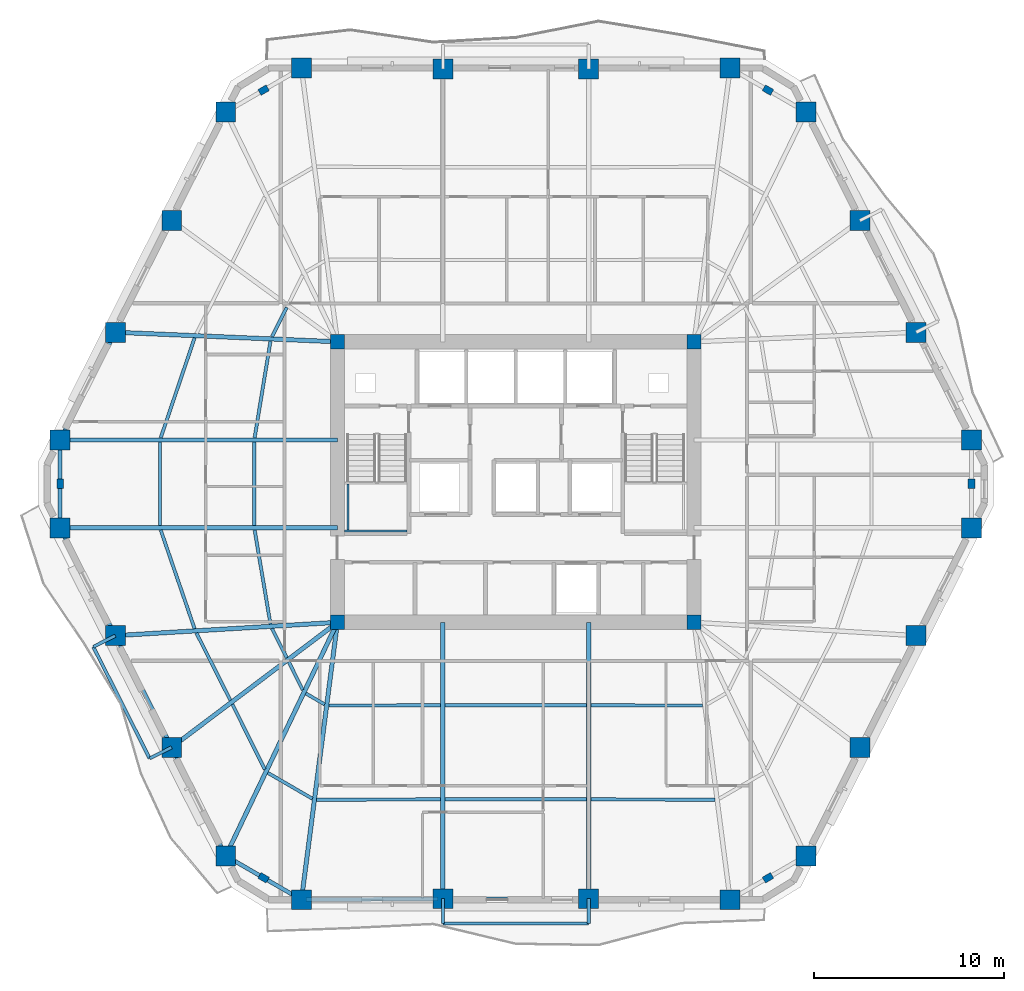
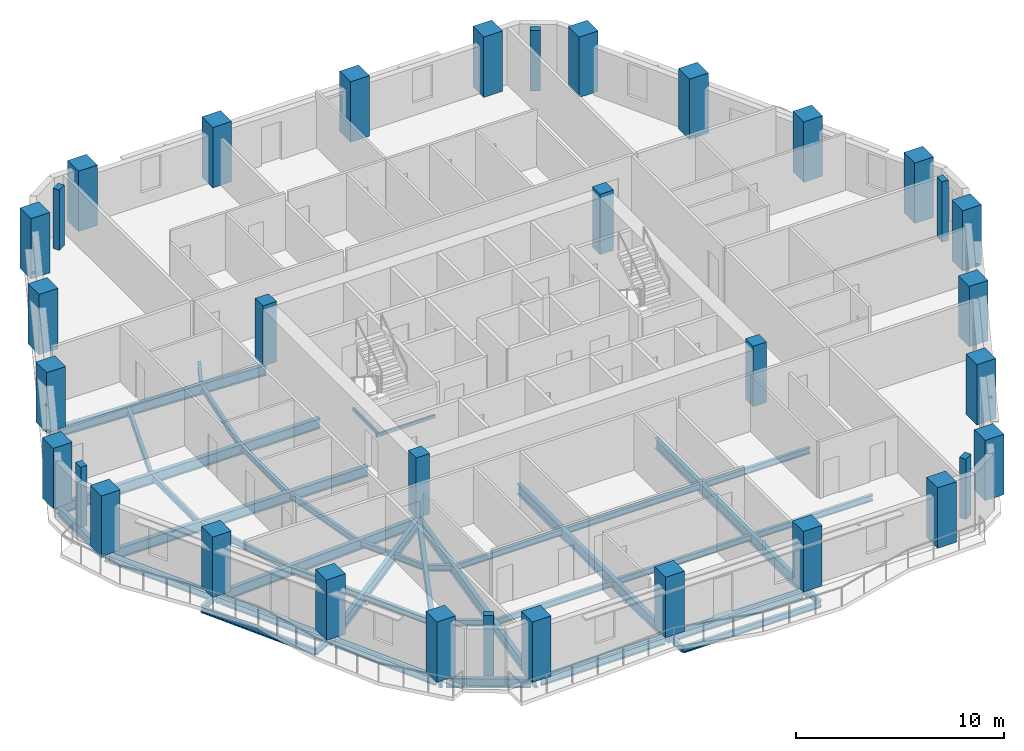
# One storey, part 1 of 12: 44 beams, 34 columns.
"""IFC4 building model written with IfcOpenShell, lengths in metres."""

from ifc_helpers import new_model, si_unit, direction, frame, origin, origin_2d, place, context, subcontext, project, spatial, rectangle, hollow_rectangle, i_section, extrude, material, material_profile, profile_set, type_object, element, save


model = new_model("IFC4")

# Units and contexts
model_context = context("Model", 3, precision=1e-05, world=origin(), true_north=direction((0.0, 1.0)))
body_context = subcontext(model_context, "Body", "Model", "MODEL_VIEW")
ifc_project = project(units=[si_unit("LENGTHUNIT", "METRE"), si_unit("AREAUNIT", "SQUARE_METRE"), si_unit("VOLUMEUNIT", "CUBIC_METRE"), si_unit("PLANEANGLEUNIT", "RADIAN"), si_unit("MASSUNIT", "GRAM", prefix="KILO")], contexts=[model_context])

# Site, building, storey
site_placement = place(None, origin())
site = spatial("IfcSite", under=ifc_project, at=site_placement, CompositionType="ELEMENT")
building_placement = place(site_placement, origin())
building = spatial("IfcBuilding", under=site, at=building_placement, Name="Cinnabar Lancet Tower", CompositionType="ELEMENT")
storey_placement = place(building_placement, frame((0.0, 0.0, 109.050048828125)))
storey = spatial("IfcBuildingStorey", under=building, at=storey_placement, Name="L28", CompositionType="ELEMENT", Elevation=109.050048828125)

# Columns
ifc_material_1 = material(Name="Concrete C70/85", Category="concrete")
ifc_material_profile_1 = material_profile(ifc_material_1, rectangle(XDim=0.75, YDim=0.75, at=origin_2d()), Name="RC-COL 750x750")
ifc_profile_set_1 = profile_set([ifc_material_profile_1], Name="Concrete C70/85")
column_type_1 = type_object("IfcColumnType", Name="STR-COL-CORE-750", PredefinedType="COLUMN", material=ifc_profile_set_1)
for number, where, z_axis, x_axis, name in (
    (1, (23.02490234375, 18.52490234375, 0.0), (0.0, 0.0, 1.0), (1.0, 0.0, 0.0), "L28 Core Corner Column SW"),
    (2, (41.77490234375, 18.52490234375, 0.0), (0.0, 0.0, 1.0), (1.0, 0.0, 0.0), "L28 Core Corner Column SE"),
    (3, (41.77490234375, 33.27490234375, 0.0), (0.0, 0.0, 1.0), (1.0, 0.0, 0.0), "L28 Core Corner Column NE"),
    (4, (23.02490234375, 33.27490234375, 0.0), (0.0, 0.0, 1.0), (1.0, 0.0, 0.0), "L28 Core Corner Column NW"),
):
    element("IfcColumn", number, at=place(storey_placement, frame(where, z_axis=z_axis, x_axis=x_axis)), inside=storey, type_object=column_type_1, Name=name, PredefinedType="COLUMN", context=body_context, shape_type="SweptSolid", body=[
        extrude(rectangle(XDim=0.75, YDim=0.75, at=origin_2d()), origin(), (0.0, 0.0, 1.0), 3.550048828125),
    ])
ifc_material_2 = material(Name="Concrete C60/75", Category="concrete")
ifc_material_profile_2 = material_profile(ifc_material_2, rectangle(XDim=0.5, YDim=0.35009765625, at=origin_2d()), Name="RC-PIL 500x350")
ifc_profile_set_2 = profile_set([ifc_material_profile_2], Name="Concrete C60/75")
column_type_2 = type_object("IfcColumnType", Name="STR-COL-PIL-500", PredefinedType="PILASTER", material=ifc_profile_set_2)
for number, where, z_axis, x_axis, name in (
    (5, (19.14111328125, 5.093017578125, 0.0), (0.0, 0.0, 1.0), (0.865160173452, -0.501495637342, 0.0), "L28 Chamfered Corner Pilaster 1"),
    (6, (45.658935546875, 5.093017578125, 0.0), (0.0, 0.0, 1.0), (0.865160173452, 0.501495637342, 0.0), "L28 Chamfered Corner Pilaster 2"),
    (7, (56.35693359375, 25.800048828125, 0.0), (0.0, 0.0, 1.0), (0.0, 1.0, 0.0), "L28 Chamfered Corner Pilaster 3"),
    (8, (45.658935546875, 46.508056640625, 0.0), (0.0, 0.0, 1.0), (-0.865160173452, 0.501495637342, 0.0), "L28 Chamfered Corner Pilaster 4"),
    (9, (19.14111328125, 46.508056640625, 0.0), (0.0, 0.0, 1.0), (-0.865160173452, -0.501495637342, 0.0), "L28 Chamfered Corner Pilaster 5"),
    (10, (8.443115234375, 25.800048828125, 0.0), (0.0, 0.0, 1.0), (0.0, -1.0, 0.0), "L28 Chamfered Corner Pilaster 6"),
):
    element("IfcColumn", number, at=place(storey_placement, frame(where, z_axis=z_axis, x_axis=x_axis)), inside=storey, type_object=column_type_2, Name=name, PredefinedType="PILASTER", context=body_context, shape_type="SweptSolid", body=[
        extrude(rectangle(XDim=0.5, YDim=0.35009765625, at=origin_2d()), origin(), (0.0, 0.0, 1.0), 3.550048828125),
    ])
ifc_material_3 = material(Name="Concrete C70/85", Category="concrete")
ifc_material_profile_3 = material_profile(ifc_material_3, rectangle(XDim=1.050048828125, YDim=1.050048828125, at=origin_2d()), Name="RC-COL 1050x1050")
ifc_profile_set_3 = profile_set([ifc_material_profile_3], Name="Concrete C70/85")
column_type_3 = type_object("IfcColumnType", Name="STR-COL-TUBE-1050", PredefinedType="COLUMN", material=ifc_profile_set_3)
for number, where, z_axis, x_axis, name in (
    (11, (21.131103515625, 3.93896484375, 0.0), (0.0, 0.0, 1.0), (1.0, 0.0, 0.0), "L28 Perimeter Tube Column 1"),
    (12, (28.568115234375, 3.991943359375, 0.0), (0.0, 0.0, 1.0), (1.0, 0.0, 0.0), "L28 Perimeter Tube Column 2"),
    (13, (36.23193359375, 3.991943359375, 0.0), (0.0, 0.0, 1.0), (1.0, 0.0, 0.0), "L28 Perimeter Tube Column 3"),
    (14, (43.6689453125, 3.93896484375, 0.0), (0.0, 0.0, 1.0), (1.0, 0.0, 0.0), "L28 Perimeter Tube Column 4"),
    (15, (47.64892578125, 6.24609375, 0.0), (0.0, 0.0, 1.0), (1.0, 0.0, 0.0), "L28 Perimeter Tube Column 5"),
    (16, (50.489013671875, 11.955078125, 0.0), (0.0, 0.0, 1.0), (1.0, 0.0, 0.0), "L28 Perimeter Tube Column 6"),
    (17, (53.451904296875, 17.823974609375, 0.0), (0.0, 0.0, 1.0), (1.0, 0.0, 0.0), "L28 Perimeter Tube Column 7"),
    (18, (56.35693359375, 23.490966796875, 0.0), (0.0, 0.0, 1.0), (1.0, 0.0, 0.0), "L28 Perimeter Tube Column 8"),
    (19, (56.35693359375, 28.10888671875, 0.0), (0.0, 0.0, 1.0), (1.0, 0.0, 0.0), "L28 Perimeter Tube Column 9"),
    (20, (53.451904296875, 33.77587890625, 0.0), (0.0, 0.0, 1.0), (1.0, 0.0, 0.0), "L28 Perimeter Tube Column 10"),
    (21, (50.489013671875, 39.64501953125, 0.0), (0.0, 0.0, 1.0), (1.0, 0.0, 0.0), "L28 Perimeter Tube Column 11"),
    (22, (47.64892578125, 45.35400390625, 0.0), (0.0, 0.0, 1.0), (1.0, 0.0, 0.0), "L28 Perimeter Tube Column 12"),
    (23, (43.6689453125, 47.660888671875, 0.0), (0.0, 0.0, 1.0), (1.0, 0.0, 0.0), "L28 Perimeter Tube Column 13"),
    (24, (36.23193359375, 47.60791015625, 0.0), (0.0, 0.0, 1.0), (1.0, 0.0, 0.0), "L28 Perimeter Tube Column 14"),
    (25, (28.568115234375, 47.60791015625, 0.0), (0.0, 0.0, 1.0), (1.0, 0.0, 0.0), "L28 Perimeter Tube Column 15"),
    (26, (21.131103515625, 47.660888671875, 0.0), (0.0, 0.0, 1.0), (1.0, 0.0, 0.0), "L28 Perimeter Tube Column 16"),
    (27, (17.15087890625, 45.35400390625, 0.0), (0.0, 0.0, 1.0), (1.0, 0.0, 0.0), "L28 Perimeter Tube Column 17"),
    (28, (14.31103515625, 39.64501953125, 0.0), (0.0, 0.0, 1.0), (1.0, 0.0, 0.0), "L28 Perimeter Tube Column 18"),
    (29, (11.347900390625, 33.77587890625, 0.0), (0.0, 0.0, 1.0), (1.0, 0.0, 0.0), "L28 Perimeter Tube Column 19"),
    (30, (8.443115234375, 28.10888671875, 0.0), (0.0, 0.0, 1.0), (1.0, 0.0, 0.0), "L28 Perimeter Tube Column 20"),
    (31, (8.443115234375, 23.490966796875, 0.0), (0.0, 0.0, 1.0), (1.0, 0.0, 0.0), "L28 Perimeter Tube Column 21"),
    (32, (11.347900390625, 17.823974609375, 0.0), (0.0, 0.0, 1.0), (1.0, 0.0, 0.0), "L28 Perimeter Tube Column 22"),
    (33, (14.31103515625, 11.955078125, 0.0), (0.0, 0.0, 1.0), (1.0, 0.0, 0.0), "L28 Perimeter Tube Column 23"),
    (34, (17.15087890625, 6.24609375, 0.0), (0.0, 0.0, 1.0), (1.0, 0.0, 0.0), "L28 Perimeter Tube Column 24"),
):
    element("IfcColumn", number, at=place(storey_placement, frame(where, z_axis=z_axis, x_axis=x_axis)), inside=storey, type_object=column_type_3, Name=name, PredefinedType="COLUMN", context=body_context, shape_type="SweptSolid", body=[
        extrude(rectangle(XDim=1.050048828125, YDim=1.050048828125, at=origin_2d()), origin(), (0.0, 0.0, 1.0), 3.550048828125),
    ])

# Beams
ifc_material_4 = material(Name="Structural steel S355", Category="steel")
ifc_material_profile_4 = material_profile(ifc_material_4, i_section(OverallWidth=0.17138671875, OverallDepth=0.35498046875, WebThickness=0.00732421875, FlangeThickness=0.011474609375, FilletRadius=0.01025390625, at=origin_2d()), Name="UKB 356x171x51")
ifc_profile_set_4 = profile_set([ifc_material_profile_4], Name="Structural steel S355")
beam_type_1 = type_object("IfcBeamType", Name="STR-BM-JST-356", PredefinedType="JOIST", material=ifc_profile_set_4)
beam_1_placement = place(storey_placement, frame((13.73193359375, 23.376953125, -0.386962890625), z_axis=(0.324639458548, -0.945837841257, 0.0), x_axis=(0.945837841257, 0.324639458548, 0.0)))
element("IfcBeam", 35, at=beam_1_placement, inside=storey, type_object=beam_type_1, Name="L28 Secondary Floor Joist 1", PredefinedType="JOIST", context=body_context, shape_type="SweptSolid", body=[
    extrude(i_section(OverallWidth=0.17138671875, OverallDepth=0.35498046875, WebThickness=0.00732421875, FlangeThickness=0.011474609375, FilletRadius=0.01025390625, at=origin_2d()), origin(), (0.0, 0.0, 1.0), 5.486083984375),
])
beam_2_placement = place(storey_placement, frame((18.669921875, 23.376953125, -0.386962890625), z_axis=(0.165984412241, -0.986128376477, 0.0), x_axis=(0.986128376477, 0.165984412241, 0.0)))
element("IfcBeam", 36, at=beam_2_placement, inside=storey, type_object=beam_type_1, Name="L28 Secondary Floor Joist 2", PredefinedType="JOIST", context=body_context, shape_type="SweptSolid", body=[
    extrude(i_section(OverallWidth=0.17138671875, OverallDepth=0.35498046875, WebThickness=0.00732421875, FlangeThickness=0.011474609375, FilletRadius=0.01025390625, at=origin_2d()), origin(), (0.0, 0.0, 1.0), 5.0185546875),
])
beam_3_placement = place(storey_placement, frame((15.60791015625, 17.965087890625, -0.386962890625), z_axis=(0.450755070916, -0.892647671841, 0.0), x_axis=(0.892647671841, 0.450755070916, 0.0)))
element("IfcBeam", 37, at=beam_3_placement, inside=storey, type_object=beam_type_1, Name="L28 Secondary Floor Joist 3", PredefinedType="JOIST", context=body_context, shape_type="SweptSolid", body=[
    extrude(i_section(OverallWidth=0.17138671875, OverallDepth=0.35498046875, WebThickness=0.00732421875, FlangeThickness=0.011474609375, FilletRadius=0.01025390625, at=origin_2d()), origin(), (0.0, 0.0, 1.0), 3.966796875),
])
beam_4_placement = place(storey_placement, frame((19.577880859375, 18.2041015625, -0.386962890625), z_axis=(0.450874341268, -0.892587434589, 0.0), x_axis=(0.892587434589, 0.450874341268, 0.0)))
element("IfcBeam", 38, at=beam_4_placement, inside=storey, type_object=beam_type_1, Name="L28 Secondary Floor Joist 4", PredefinedType="JOIST", context=body_context, shape_type="SweptSolid", body=[
    extrude(i_section(OverallWidth=0.17138671875, OverallDepth=0.35498046875, WebThickness=0.00732421875, FlangeThickness=0.011474609375, FilletRadius=0.01025390625, at=origin_2d()), origin(), (0.0, 0.0, 1.0), 1.732177734375),
])
beam_5_placement = place(storey_placement, frame((17.5, 14.216064453125, -0.386962890625), z_axis=(0.445295120803, -0.895383859241, 0.0), x_axis=(0.895383859241, 0.445295120803, 0.0)))
element("IfcBeam", 39, at=beam_5_placement, inside=storey, type_object=beam_type_1, Name="L28 Secondary Floor Joist 5", PredefinedType="JOIST", context=body_context, shape_type="SweptSolid", body=[
    extrude(i_section(OverallWidth=0.17138671875, OverallDepth=0.35498046875, WebThickness=0.00732421875, FlangeThickness=0.011474609375, FilletRadius=0.01025390625, at=origin_2d()), origin(), (0.0, 0.0, 1.0), 3.81982421875),
])
beam_6_placement = place(storey_placement, frame((20.4619140625, 16.449951171875, -0.386962890625), z_axis=(0.445557690111, -0.895253229418, 0.0), x_axis=(0.895253229418, 0.445557690111, 0.0)))
element("IfcBeam", 40, at=beam_6_placement, inside=storey, type_object=beam_type_1, Name="L28 Secondary Floor Joist 6", PredefinedType="JOIST", context=body_context, shape_type="SweptSolid", body=[
    extrude(i_section(OverallWidth=0.17138671875, OverallDepth=0.35498046875, WebThickness=0.00732421875, FlangeThickness=0.011474609375, FilletRadius=0.01025390625, at=origin_2d()), origin(), (0.0, 0.0, 1.0), 1.652099609375),
])
beam_7_placement = place(storey_placement, frame((19.364990234375, 10.60888671875, -0.386962890625), z_axis=(0.865172906898, -0.501473669469, 0.0), x_axis=(0.501473669469, 0.865172906898, 0.0)))
element("IfcBeam", 41, at=beam_7_placement, inside=storey, type_object=beam_type_1, Name="L28 Secondary Floor Joist 7", PredefinedType="JOIST", context=body_context, shape_type="SweptSolid", body=[
    extrude(i_section(OverallWidth=0.17138671875, OverallDepth=0.35498046875, WebThickness=0.00732421875, FlangeThickness=0.011474609375, FilletRadius=0.01025390625, at=origin_2d()), origin(), (0.0, 0.0, 1.0), 2.705810546875),
])
beam_8_placement = place(storey_placement, frame((21.362060546875, 14.783935546875, -0.386962890625), z_axis=(0.865055308165, -0.501676503154, 0.0), x_axis=(0.501676503154, 0.865055308165, 0.0)))
element("IfcBeam", 42, at=beam_8_placement, inside=storey, type_object=beam_type_1, Name="L28 Secondary Floor Joist 8", PredefinedType="JOIST", context=body_context, shape_type="SweptSolid", body=[
    extrude(i_section(OverallWidth=0.17138671875, OverallDepth=0.35498046875, WebThickness=0.00732421875, FlangeThickness=0.011474609375, FilletRadius=0.01025390625, at=origin_2d()), origin(), (0.0, 0.0, 1.0), 1.14208984375),
])
beam_9_placement = place(storey_placement, frame((21.927978515625, 9.19091796875, -0.386962890625), z_axis=(0.999987991898, 0.004900618269, 0.0), x_axis=(-0.004900618269, 0.999987991898, 0.0)))
element("IfcBeam", 43, at=beam_9_placement, inside=storey, type_object=beam_type_1, Name="L28 Secondary Floor Joist 9", PredefinedType="JOIST", context=body_context, shape_type="SweptSolid", body=[
    extrude(i_section(OverallWidth=0.17138671875, OverallDepth=0.35498046875, WebThickness=0.00732421875, FlangeThickness=0.011474609375, FilletRadius=0.01025390625, at=origin_2d()), origin(), (0.0, 0.0, 1.0), 6.526123046875),
])
beam_10_placement = place(storey_placement, frame((22.572021484375, 14.14892578125, -0.386962890625), z_axis=(0.999996247906, 0.002739374605, 0.0), x_axis=(-0.002739374605, 0.999996247906, 0.0)))
element("IfcBeam", 44, at=beam_10_placement, inside=storey, type_object=beam_type_1, Name="L28 Secondary Floor Joist 10", PredefinedType="JOIST", context=body_context, shape_type="SweptSolid", body=[
    extrude(i_section(OverallWidth=0.17138671875, OverallDepth=0.35498046875, WebThickness=0.00732421875, FlangeThickness=0.011474609375, FilletRadius=0.01025390625, at=origin_2d()), origin(), (0.0, 0.0, 1.0), 5.882080078125),
])
for number, where, z_axis, x_axis, name in (
    (45, (28.681884765625, 9.22412109375, -0.386962890625), (1.0, 0.0, 0.0), (0.0, 1.0, 0.0), "L28 Secondary Floor Joist 11"),
    (46, (28.681884765625, 14.1650390625, -0.386962890625), (1.0, 0.0, 0.0), (0.0, 1.0, 0.0), "L28 Secondary Floor Joist 12"),
):
    element("IfcBeam", number, at=place(storey_placement, frame(where, z_axis=z_axis, x_axis=x_axis)), inside=storey, type_object=beam_type_1, Name=name, PredefinedType="JOIST", context=body_context, shape_type="SweptSolid", body=[
        extrude(i_section(OverallWidth=0.17138671875, OverallDepth=0.35498046875, WebThickness=0.00732421875, FlangeThickness=0.011474609375, FilletRadius=0.01025390625, at=origin_2d()), origin(), (0.0, 0.0, 1.0), 7.43603515625),
    ])
beam_11_placement = place(storey_placement, frame((36.345947265625, 9.222900390625, -0.386962890625), z_axis=(0.999987991898, -0.004900618269, 0.0), x_axis=(0.004900618269, 0.999987991898, 0.0)))
element("IfcBeam", 47, at=beam_11_placement, inside=storey, type_object=beam_type_1, Name="L28 Secondary Floor Joist 13", PredefinedType="JOIST", context=body_context, shape_type="SweptSolid", body=[
    extrude(i_section(OverallWidth=0.17138671875, OverallDepth=0.35498046875, WebThickness=0.00732421875, FlangeThickness=0.011474609375, FilletRadius=0.01025390625, at=origin_2d()), origin(), (0.0, 0.0, 1.0), 6.526123046875),
])
beam_12_placement = place(storey_placement, frame((36.345947265625, 14.1650390625, -0.386962890625), z_axis=(0.999996247906, -0.002739374605, 0.0), x_axis=(0.002739374605, 0.999996247906, 0.0)))
element("IfcBeam", 48, at=beam_12_placement, inside=storey, type_object=beam_type_1, Name="L28 Secondary Floor Joist 14", PredefinedType="JOIST", context=body_context, shape_type="SweptSolid", body=[
    extrude(i_section(OverallWidth=0.17138671875, OverallDepth=0.35498046875, WebThickness=0.00732421875, FlangeThickness=0.011474609375, FilletRadius=0.01025390625, at=origin_2d()), origin(), (0.0, 0.0, 1.0), 5.882080078125),
])
beam_13_placement = place(storey_placement, frame((20.35888671875, 35.0830078125, -0.386962890625), z_axis=(-0.450931068976, -0.892558777354, 0.0), x_axis=(0.892558777354, -0.450931068976, 0.0)))
element("IfcBeam", 49, at=beam_13_placement, inside=storey, type_object=beam_type_1, Name="L28 Secondary Floor Joist 44", PredefinedType="JOIST", context=body_context, shape_type="SweptSolid", body=[
    extrude(i_section(OverallWidth=0.17138671875, OverallDepth=0.35498046875, WebThickness=0.00732421875, FlangeThickness=0.011474609375, FilletRadius=0.01025390625, at=origin_2d()), origin(), (0.0, 0.0, 1.0), 1.73193359375),
])
beam_14_placement = place(storey_placement, frame((15.513916015625, 33.48291015625, -0.386962890625), z_axis=(-0.321023911172, -0.947071089442, 0.0), x_axis=(0.947071089442, -0.321023911172, 0.0)))
element("IfcBeam", 50, at=beam_14_placement, inside=storey, type_object=beam_type_1, Name="L28 Secondary Floor Joist 45", PredefinedType="JOIST", context=body_context, shape_type="SweptSolid", body=[
    extrude(i_section(OverallWidth=0.17138671875, OverallDepth=0.35498046875, WebThickness=0.00732421875, FlangeThickness=0.011474609375, FilletRadius=0.01025390625, at=origin_2d()), origin(), (0.0, 0.0, 1.0), 5.553955078125),
])
beam_15_placement = place(storey_placement, frame((19.5029296875, 33.31201171875, -0.386962890625), z_axis=(-0.161719098977, -0.986836832017, 0.0), x_axis=(0.986836832017, -0.161719098977, 0.0)))
element("IfcBeam", 51, at=beam_15_placement, inside=storey, type_object=beam_type_1, Name="L28 Secondary Floor Joist 46", PredefinedType="JOIST", context=body_context, shape_type="SweptSolid", body=[
    extrude(i_section(OverallWidth=0.17138671875, OverallDepth=0.35498046875, WebThickness=0.00732421875, FlangeThickness=0.011474609375, FilletRadius=0.01025390625, at=origin_2d()), origin(), (0.0, 0.0, 1.0), 5.156982421875),
])
for number, where, z_axis, x_axis, name in (
    (52, (13.693115234375, 27.9951171875, -0.386962890625), (0.0, -1.0, 0.0), (1.0, 0.0, 0.0), "L28 Secondary Floor Joist 47"),
    (53, (18.64990234375, 27.9951171875, -0.386962890625), (0.0, -1.0, 0.0), (1.0, 0.0, 0.0), "L28 Secondary Floor Joist 48"),
):
    element("IfcBeam", number, at=place(storey_placement, frame(where, z_axis=z_axis, x_axis=x_axis)), inside=storey, type_object=beam_type_1, Name=name, PredefinedType="JOIST", context=body_context, shape_type="SweptSolid", body=[
        extrude(i_section(OverallWidth=0.17138671875, OverallDepth=0.35498046875, WebThickness=0.00732421875, FlangeThickness=0.011474609375, FilletRadius=0.01025390625, at=origin_2d()), origin(), (0.0, 0.0, 1.0), 4.39013671875),
    ])
ifc_material_5 = material(Name="Structural steel S355", Category="steel")
ifc_material_profile_5 = material_profile(ifc_material_5, hollow_rectangle(XDim=0.10009765625, YDim=0.199951171875, WallThickness=0.008056640625, InnerFilletRadius=0.00390625, OuterFilletRadius=0.011962890625, at=origin_2d()), Name="RHS 200x100x8")
ifc_profile_set_5 = profile_set([ifc_material_profile_5], Name="Structural steel S355")
beam_type_2 = type_object("IfcBeamType", Name="STR-BM-LND-203", PredefinedType="BEAM", material=ifc_profile_set_5)
beam_16_placement = place(storey_placement, frame((23.39990234375, 23.330078125, 1.474853515625), z_axis=(1.0, 0.0, 0.0), x_axis=(0.0, 1.0, 0.0)))
element("IfcBeam", 54, at=beam_16_placement, inside=storey, type_object=beam_type_2, Name="L28 ST-1-L28 Landing Support Beam S", PredefinedType="BEAM", context=body_context, shape_type="SweptSolid", body=[
    extrude(hollow_rectangle(XDim=0.10009765625, YDim=0.199951171875, WallThickness=0.008056640625, InnerFilletRadius=0.00390625, OuterFilletRadius=0.011962890625, at=origin_2d()), origin(), (0.0, 0.0, 1.0), 3.280029296875),
])
beam_17_placement = place(storey_placement, frame((23.580078125, 23.3798828125, 1.474853515625), z_axis=(0.0, 1.0, 0.0), x_axis=(-1.0, 0.0, 0.0)))
element("IfcBeam", 55, at=beam_17_placement, inside=storey, type_object=beam_type_2, Name="L28 ST-1-L28 Landing Side Trimmer Beam", PredefinedType="BEAM", context=body_context, shape_type="SweptSolid", body=[
    extrude(hollow_rectangle(XDim=0.10009765625, YDim=0.199951171875, WallThickness=0.008056640625, InnerFilletRadius=0.00390625, OuterFilletRadius=0.011962890625, at=origin_2d()), origin(), (0.0, 0.0, 1.0), 2.4150390625),
])
ifc_material_6 = material(Name="Structural steel S355", Category="steel")
ifc_material_profile_6 = material_profile(ifc_material_6, i_section(OverallWidth=0.209228515625, OverallDepth=0.533203125, WebThickness=0.010009765625, FlangeThickness=0.015625, FilletRadius=0.0126953125, at=origin_2d()), Name="UKB 533x210x92")
ifc_profile_set_6 = profile_set([ifc_material_profile_6], Name="Structural steel S355")
beam_type_3 = type_object("IfcBeamType", Name="STR-BM-SPN-533", PredefinedType="SPANDREL", material=ifc_profile_set_6)
beam_18_placement = place(storey_placement, frame((21.381103515625, 3.94091796875, -0.47705078125), z_axis=(0.999974980359, 0.007073800628, 0.0), x_axis=(-0.007073800628, 0.999974980359, 0.0)))
element("IfcBeam", 56, at=beam_18_placement, inside=storey, type_object=beam_type_3, Name="L28 Perimeter Spandrel 1", PredefinedType="SPANDREL", context=body_context, shape_type="SweptSolid", body=[
    extrude(i_section(OverallWidth=0.209228515625, OverallDepth=0.533203125, WebThickness=0.010009765625, FlangeThickness=0.015625, FilletRadius=0.0126953125, at=origin_2d()), origin(), (0.0, 0.0, 1.0), 6.937255859375),
])
beam_19_placement = place(storey_placement, frame((28.818115234375, 3.991943359375, -0.47705078125), z_axis=(1.0, 0.0, 0.0), x_axis=(0.0, 1.0, 0.0)))
element("IfcBeam", 57, at=beam_19_placement, inside=storey, type_object=beam_type_3, Name="L28 Perimeter Spandrel 2", PredefinedType="SPANDREL", context=body_context, shape_type="SweptSolid", body=[
    extrude(i_section(OverallWidth=0.209228515625, OverallDepth=0.533203125, WebThickness=0.010009765625, FlangeThickness=0.015625, FilletRadius=0.0126953125, at=origin_2d()), origin(), (0.0, 0.0, 1.0), 7.163818359375),
])
beam_20_placement = place(storey_placement, frame((11.23388671875, 33.553955078125, -0.47705078125), z_axis=(-0.456126618405, -0.889914888055, 0.0), x_axis=(0.889914888055, -0.456126618405, 0.0)))
element("IfcBeam", 58, at=beam_20_placement, inside=storey, type_object=beam_type_3, Name="L28 Perimeter Spandrel 19", PredefinedType="SPANDREL", context=body_context, shape_type="SweptSolid", body=[
    extrude(i_section(OverallWidth=0.209228515625, OverallDepth=0.533203125, WebThickness=0.010009765625, FlangeThickness=0.015625, FilletRadius=0.0126953125, at=origin_2d()), origin(), (0.0, 0.0, 1.0), 5.868896484375),
])
beam_21_placement = place(storey_placement, frame((8.443115234375, 27.85888671875, -0.47705078125), z_axis=(0.0, -1.0, 0.0), x_axis=(1.0, 0.0, 0.0)))
element("IfcBeam", 59, at=beam_21_placement, inside=storey, type_object=beam_type_3, Name="L28 Perimeter Spandrel 20", PredefinedType="SPANDREL", context=body_context, shape_type="SweptSolid", body=[
    extrude(i_section(OverallWidth=0.209228515625, OverallDepth=0.533203125, WebThickness=0.010009765625, FlangeThickness=0.015625, FilletRadius=0.0126953125, at=origin_2d()), origin(), (0.0, 0.0, 1.0), 4.117919921875),
])
beam_22_placement = place(storey_placement, frame((8.556884765625, 23.26904296875, -0.47705078125), z_axis=(0.456109733574, -0.889923542187, 0.0), x_axis=(0.889923542187, 0.456109733574, 0.0)))
element("IfcBeam", 60, at=beam_22_placement, inside=storey, type_object=beam_type_3, Name="L28 Perimeter Spandrel 21", PredefinedType="SPANDREL", context=body_context, shape_type="SweptSolid", body=[
    extrude(i_section(OverallWidth=0.209228515625, OverallDepth=0.533203125, WebThickness=0.010009765625, FlangeThickness=0.015625, FilletRadius=0.0126953125, at=origin_2d()), origin(), (0.0, 0.0, 1.0), 5.869140625),
])
beam_23_placement = place(storey_placement, frame((11.4609375, 17.60107421875, -0.47705078125), z_axis=(0.450570325924, -0.892740937449, 0.0), x_axis=(0.892740937449, 0.450570325924, 0.0)))
element("IfcBeam", 61, at=beam_23_placement, inside=storey, type_object=beam_type_3, Name="L28 Perimeter Spandrel 22", PredefinedType="SPANDREL", context=body_context, shape_type="SweptSolid", body=[
    extrude(i_section(OverallWidth=0.209228515625, OverallDepth=0.533203125, WebThickness=0.010009765625, FlangeThickness=0.015625, FilletRadius=0.0126953125, at=origin_2d()), origin(), (0.0, 0.0, 1.0), 6.07470703125),
])
beam_24_placement = place(storey_placement, frame((14.422119140625, 11.73095703125, -0.47705078125), z_axis=(0.445501068635, -0.89528140707, 0.0), x_axis=(0.89528140707, 0.445501068635, 0.0)))
element("IfcBeam", 62, at=beam_24_placement, inside=storey, type_object=beam_type_3, Name="L28 Perimeter Spandrel 23", PredefinedType="SPANDREL", context=body_context, shape_type="SweptSolid", body=[
    extrude(i_section(OverallWidth=0.209228515625, OverallDepth=0.533203125, WebThickness=0.010009765625, FlangeThickness=0.015625, FilletRadius=0.0126953125, at=origin_2d()), origin(), (0.0, 0.0, 1.0), 5.87646484375),
])
beam_25_placement = place(storey_placement, frame((17.366943359375, 6.12109375, -0.47705078125), z_axis=(0.865112299906, -0.501578217781, 0.0), x_axis=(0.501578217781, 0.865112299906, 0.0)))
element("IfcBeam", 63, at=beam_25_placement, inside=storey, type_object=beam_type_3, Name="L28 Perimeter Spandrel 24", PredefinedType="SPANDREL", context=body_context, shape_type="SweptSolid", body=[
    extrude(i_section(OverallWidth=0.209228515625, OverallDepth=0.533203125, WebThickness=0.010009765625, FlangeThickness=0.015625, FilletRadius=0.0126953125, at=origin_2d()), origin(), (0.0, 0.0, 1.0), 4.101318359375),
])
ifc_material_7 = material(Name="Structural steel S355", Category="steel")
ifc_material_profile_7 = material_profile(ifc_material_7, i_section(OverallWidth=0.228271484375, OverallDepth=0.607666015625, WebThickness=0.010986328125, FlangeThickness=0.017333984375, FilletRadius=0.0126953125, at=origin_2d()), Name="UKB 610x229x113")
ifc_profile_set_7 = profile_set([ifc_material_profile_7], Name="Structural steel S355")
beam_type_4 = type_object("IfcBeamType", Name="STR-BM-UKB610-113", PredefinedType="BEAM", material=ifc_profile_set_7)
beam_26_placement = place(storey_placement, frame((14.31103515625, 11.955078125, -0.51416015625), z_axis=(0.798483350078, 0.602016893158, 0.0), x_axis=(-0.602016893158, 0.798483350078, 0.0)))
element("IfcBeam", 64, at=beam_26_placement, inside=storey, type_object=beam_type_4, Name="L28 Corner Collector Girder 1", PredefinedType="BEAM", context=body_context, shape_type="SweptSolid", body=[
    extrude(i_section(OverallWidth=0.228271484375, OverallDepth=0.607666015625, WebThickness=0.010986328125, FlangeThickness=0.017333984375, FilletRadius=0.0126953125, at=origin_2d()), origin(), (0.0, 0.0, 1.0), 10.9130859375),
])
beam_27_placement = place(storey_placement, frame((21.131103515625, 3.93896484375, -0.51416015625), z_axis=(0.128756570002, 0.991676230269, 0.0), x_axis=(-0.991676230269, 0.128756570002, 0.0)))
element("IfcBeam", 65, at=beam_27_placement, inside=storey, type_object=beam_type_4, Name="L28 Primary Floor Girder 1", PredefinedType="BEAM", context=body_context, shape_type="SweptSolid", body=[
    extrude(i_section(OverallWidth=0.228271484375, OverallDepth=0.607666015625, WebThickness=0.010986328125, FlangeThickness=0.017333984375, FilletRadius=0.0126953125, at=origin_2d()), origin(), (0.0, 0.0, 1.0), 14.708251953125),
])
for number, where, z_axis, x_axis, name in (
    (66, (28.568115234375, 3.991943359375, -0.51416015625), (0.0, 1.0, 0.0), (-1.0, 0.0, 0.0), "L28 Primary Floor Girder 2"),
    (67, (36.23193359375, 3.991943359375, -0.51416015625), (0.0, 1.0, 0.0), (-1.0, 0.0, 0.0), "L28 Primary Floor Girder 3"),
):
    element("IfcBeam", number, at=place(storey_placement, frame(where, z_axis=z_axis, x_axis=x_axis)), inside=storey, type_object=beam_type_4, Name=name, PredefinedType="BEAM", context=body_context, shape_type="SweptSolid", body=[
        extrude(i_section(OverallWidth=0.228271484375, OverallDepth=0.607666015625, WebThickness=0.010986328125, FlangeThickness=0.017333984375, FilletRadius=0.0126953125, at=origin_2d()), origin(), (0.0, 0.0, 1.0), 14.532958984375),
    ])
beam_28_placement = place(storey_placement, frame((11.347900390625, 33.77587890625, -0.51416015625), z_axis=(0.999080941658, -0.042863411158, 0.0), x_axis=(0.042863411158, 0.999080941658, 0.0)))
element("IfcBeam", 68, at=beam_28_placement, inside=storey, type_object=beam_type_4, Name="L28 Primary Floor Girder 19", PredefinedType="BEAM", context=body_context, shape_type="SweptSolid", body=[
    extrude(i_section(OverallWidth=0.228271484375, OverallDepth=0.607666015625, WebThickness=0.010986328125, FlangeThickness=0.017333984375, FilletRadius=0.0126953125, at=origin_2d()), origin(), (0.0, 0.0, 1.0), 11.687744140625),
])
for number, where, z_axis, x_axis, name in (
    (69, (8.443115234375, 28.10888671875, -0.51416015625), (1.0, 0.0, 0.0), (0.0, 1.0, 0.0), "L28 Primary Floor Girder 20"),
    (70, (8.443115234375, 23.490966796875, -0.51416015625), (1.0, 0.0, 0.0), (0.0, 1.0, 0.0), "L28 Primary Floor Girder 21"),
):
    element("IfcBeam", number, at=place(storey_placement, frame(where, z_axis=z_axis, x_axis=x_axis)), inside=storey, type_object=beam_type_4, Name=name, PredefinedType="BEAM", context=body_context, shape_type="SweptSolid", body=[
        extrude(i_section(OverallWidth=0.228271484375, OverallDepth=0.607666015625, WebThickness=0.010986328125, FlangeThickness=0.017333984375, FilletRadius=0.0126953125, at=origin_2d()), origin(), (0.0, 0.0, 1.0), 14.581787109375),
    ])
beam_29_placement = place(storey_placement, frame((11.347900390625, 17.823974609375, -0.51416015625), z_axis=(0.998203272991, 0.059918492897, 0.0), x_axis=(-0.059918492897, 0.998203272991, 0.0)))
element("IfcBeam", 71, at=beam_29_placement, inside=storey, type_object=beam_type_4, Name="L28 Primary Floor Girder 22", PredefinedType="BEAM", context=body_context, shape_type="SweptSolid", body=[
    extrude(i_section(OverallWidth=0.228271484375, OverallDepth=0.607666015625, WebThickness=0.010986328125, FlangeThickness=0.017333984375, FilletRadius=0.0126953125, at=origin_2d()), origin(), (0.0, 0.0, 1.0), 11.697998046875),
])
beam_30_placement = place(storey_placement, frame((17.15087890625, 6.24609375, -0.51416015625), z_axis=(0.431548156881, 0.902089900339, 0.0), x_axis=(-0.902089900339, 0.431548156881, 0.0)))
element("IfcBeam", 72, at=beam_30_placement, inside=storey, type_object=beam_type_4, Name="L28 Primary Floor Girder 24", PredefinedType="BEAM", context=body_context, shape_type="SweptSolid", body=[
    extrude(i_section(OverallWidth=0.228271484375, OverallDepth=0.607666015625, WebThickness=0.010986328125, FlangeThickness=0.017333984375, FilletRadius=0.0126953125, at=origin_2d()), origin(), (0.0, 0.0, 1.0), 13.611572265625),
])
ifc_material_8 = material(Name="Structural steel S355", Category="steel")
ifc_material_profile_8 = material_profile(ifc_material_8, i_section(OverallWidth=0.17138671875, OverallDepth=0.35498046875, WebThickness=0.00732421875, FlangeThickness=0.011474609375, FilletRadius=0.01025390625, at=origin_2d()), Name="UKB 356x171x51")
ifc_profile_set_8 = profile_set([ifc_material_profile_8], Name="Structural steel S355")
beam_type_5 = type_object("IfcBeamType", Name="STR-BM-WAV-OUT", PredefinedType="BEAM", material=ifc_profile_set_8)
for number, where, z_axis, x_axis, name in (
    (73, (28.568115234375, 3.991943359375, -0.39697265625), (0.0, -1.0, 0.0), (1.0, 0.0, 0.0), "L28 Face 1 Balcony Outlooker A"),
    (74, (36.23193359375, 3.991943359375, -0.39697265625), (0.0, -1.0, 0.0), (1.0, 0.0, 0.0), "L28 Face 1 Balcony Outlooker B"),
    (75, (11.347900390625, 17.823974609375, -0.39697265625), (-0.89227592947, -0.451490493464, 0.0), (0.451490493464, -0.89227592947, 0.0), "L28 Face 6 Balcony Outlooker A"),
):
    element("IfcBeam", number, at=place(storey_placement, frame(where, z_axis=z_axis, x_axis=x_axis)), inside=storey, type_object=beam_type_5, Name=name, PredefinedType="BEAM", context=body_context, shape_type="SweptSolid", body=[
        extrude(i_section(OverallWidth=0.17138671875, OverallDepth=0.35498046875, WebThickness=0.00732421875, FlangeThickness=0.011474609375, FilletRadius=0.01025390625, at=origin_2d()), origin(), (0.0, 0.0, 1.0), 1.300048828125),
    ])
beam_31_placement = place(storey_placement, frame((14.31103515625, 11.955078125, -0.39697265625), z_axis=(-0.892238560088, -0.451564338597, 0.0), x_axis=(0.451564338597, -0.892238560088, 0.0)))
element("IfcBeam", 76, at=beam_31_placement, inside=storey, type_object=beam_type_5, Name="L28 Face 6 Balcony Outlooker B", PredefinedType="BEAM", context=body_context, shape_type="SweptSolid", body=[
    extrude(i_section(OverallWidth=0.17138671875, OverallDepth=0.35498046875, WebThickness=0.00732421875, FlangeThickness=0.011474609375, FilletRadius=0.01025390625, at=origin_2d()), origin(), (0.0, 0.0, 1.0), 1.30029296875),
])
ifc_material_9 = material(Name="Structural steel S355", Category="steel")
ifc_material_profile_9 = material_profile(ifc_material_9, i_section(OverallWidth=0.17138671875, OverallDepth=0.35498046875, WebThickness=0.00732421875, FlangeThickness=0.011474609375, FilletRadius=0.01025390625, at=origin_2d()), Name="UKB 356x171x51")
ifc_profile_set_9 = profile_set([ifc_material_profile_9], Name="Structural steel S355")
beam_type_6 = type_object("IfcBeamType", Name="STR-BM-WAV-TRIM", PredefinedType="SPANDREL", material=ifc_profile_set_9)
beam_32_placement = place(storey_placement, frame((28.568115234375, 2.69189453125, -0.39697265625), z_axis=(1.0, 0.0, 0.0), x_axis=(0.0, 1.0, 0.0)))
element("IfcBeam", 77, at=beam_32_placement, inside=storey, type_object=beam_type_6, Name="L28 Face 1 Balcony Edge Trimmer", PredefinedType="SPANDREL", context=body_context, shape_type="SweptSolid", body=[
    extrude(i_section(OverallWidth=0.17138671875, OverallDepth=0.35498046875, WebThickness=0.00732421875, FlangeThickness=0.011474609375, FilletRadius=0.01025390625, at=origin_2d()), origin(), (0.0, 0.0, 1.0), 7.663818359375),
])
beam_33_placement = place(storey_placement, frame((10.18798828125, 17.237060546875, -0.39697265625), z_axis=(0.450656296771, -0.892697542385, 0.0), x_axis=(0.892697542385, 0.450656296771, 0.0)))
element("IfcBeam", 78, at=beam_33_placement, inside=storey, type_object=beam_type_6, Name="L28 Face 6 Balcony Edge Trimmer", PredefinedType="SPANDREL", context=body_context, shape_type="SweptSolid", body=[
    extrude(i_section(OverallWidth=0.17138671875, OverallDepth=0.35498046875, WebThickness=0.00732421875, FlangeThickness=0.011474609375, FilletRadius=0.01025390625, at=origin_2d()), origin(), (0.0, 0.0, 1.0), 6.57470703125),
])

save(model, "model.ifc")
